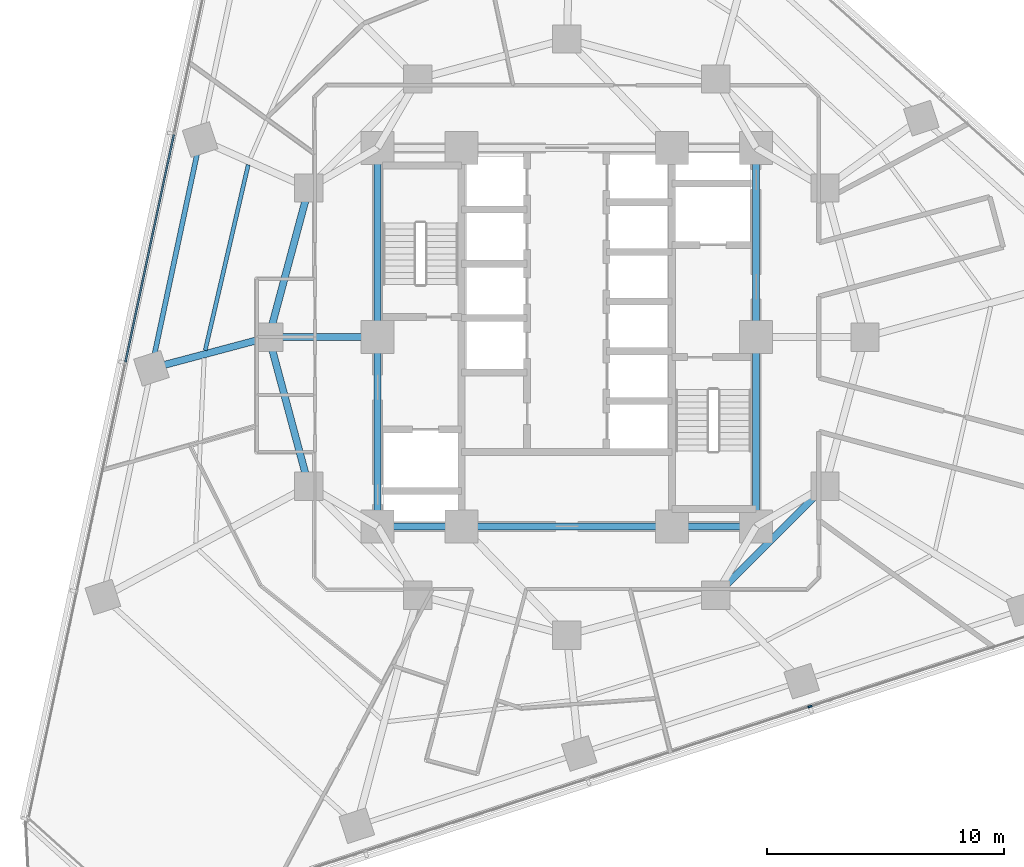
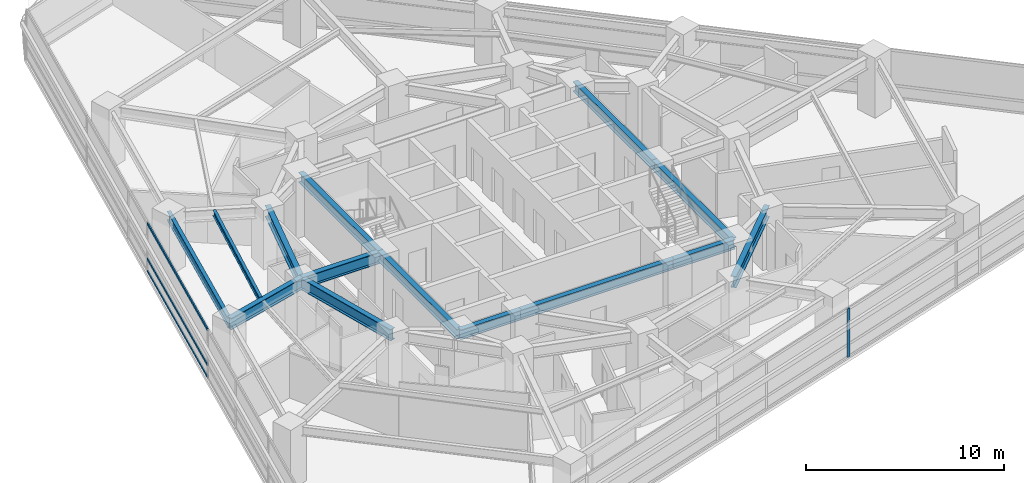
# One storey, part 3 of 13: 14 beams, 4 members, 2 elements without a shape of their own.
"""IFC4 building model written with IfcOpenShell, lengths in metres."""

import ifcopenshell
import ifcopenshell.guid

model = None  # the IFC model being written
_history = None  # IfcOwnerHistory: only IFC2X3 demands one
_inside = {}  # id of a spatial element -> (the spatial element, [elements in it])
_under = {}  # id of a project, library or spatial element -> (it, [spatial elements below it])
_declared = {}  # id of a project -> (the project, [libraries it declares])
_typed = {}  # id of a type object -> (the type object, [elements of that type])
_made_of = {}  # id of a material, layer set ... -> (it, [elements and type objects made of it])


def new_model(schema):
    """Start an empty IFC model of exactly this schema.

    Asked for "IFC4X3", IfcOpenShell would pick the latest addendum, in which some entities
    have other attributes; the version numbers below select the first issue.
    IFC2X3 requires an IfcOwnerHistory on every rooted entity: one is made here for all.
    """
    global model, _history
    if schema == "IFC4X3":
        model = ifcopenshell.file(schema_version=(4, 3, 0, 0))
    else:
        model = ifcopenshell.file(schema=schema)
    _inside.clear()
    _under.clear()
    _declared.clear()
    _typed.clear()
    _made_of.clear()
    _history = None
    if model.schema == "IFC2X3":
        org = make("IfcOrganization", Name="unknown")
        user = make(
            "IfcPersonAndOrganization",
            ThePerson=make("IfcPerson", FamilyName="unknown"),
            TheOrganization=org,
        )
        app = make(
            "IfcApplication",
            ApplicationDeveloper=org,
            Version="unknown",
            ApplicationFullName="unknown",
            ApplicationIdentifier="unknown",
        )
        _history = make(
            "IfcOwnerHistory",
            OwningUser=user,
            OwningApplication=app,
            ChangeAction="ADDED",
            CreationDate=0,
        )
    return model


def make(cls, **values):
    """One entity of the class cls with the attributes given. An attribute that is None is left unset."""
    return model.create_entity(
        cls, **{name: value for name, value in values.items() if value is not None}
    )


def rooted(cls, **values):
    """An entity with a GlobalId (a new one), such as an element, a storey or a relation."""
    return make(cls, GlobalId=ifcopenshell.guid.new(), OwnerHistory=_history, **values)


def si_unit(unit_type, name, prefix=None):
    """IfcSIUnit, for example si_unit("LENGTHUNIT", "METRE", prefix="MILLI")."""
    return make("IfcSIUnit", UnitType=unit_type, Prefix=prefix, Name=name)


def assignment(units):
    """IfcUnitAssignment: the units of a project."""
    return None if units is None else make("IfcUnitAssignment", Units=units)


def point(xyz):
    """IfcCartesianPoint."""
    return None if xyz is None else make("IfcCartesianPoint", Coordinates=xyz)


def direction(xyz):
    """IfcDirection."""
    return None if xyz is None else make("IfcDirection", DirectionRatios=xyz)


def frame(location, z_axis=None, x_axis=None):
    """IfcAxis2Placement3D, a coordinate frame: its origin and axes. An axis left out is left unset."""
    return make(
        "IfcAxis2Placement3D",
        Location=point(location),
        Axis=direction(z_axis),
        RefDirection=direction(x_axis),
    )


def frame_2d(location, x_axis=None):
    """IfcAxis2Placement2D, a coordinate frame in the plane: its origin and x axis."""
    return make(
        "IfcAxis2Placement2D", Location=point(location), RefDirection=direction(x_axis)
    )


def origin():
    """The frame at (0, 0, 0) with its axes left unset."""
    return frame((0.0, 0.0, 0.0))


def origin_2d():
    """The frame at (0, 0) in the plane with its x axis left unset."""
    return frame_2d((0.0, 0.0))


def place(relative_to, where):
    """IfcLocalPlacement: puts the frame where relative to a parent placement (None: the world)."""
    return make(
        "IfcLocalPlacement", PlacementRelTo=relative_to, RelativePlacement=where
    )


def context(
    kind, dimensions, precision=None, world=None, true_north=None, identifier=None
):
    """IfcGeometricRepresentationContext, for example the 3D "Model" context."""
    return make(
        "IfcGeometricRepresentationContext",
        ContextIdentifier=identifier,
        ContextType=kind,
        CoordinateSpaceDimension=dimensions,
        Precision=precision,
        WorldCoordinateSystem=world,
        TrueNorth=true_north,
    )


def subcontext(parent, identifier, kind, view, scale=None):
    """IfcGeometricRepresentationSubContext, for example "Body" below "Model"."""
    return make(
        "IfcGeometricRepresentationSubContext",
        ContextIdentifier=identifier,
        ContextType=kind,
        ParentContext=parent,
        TargetScale=scale,
        TargetView=view,
    )


def project(units=None, contexts=None):
    """IfcProject with its units and contexts."""
    return rooted(
        "IfcProject",
        Name="project",
        RepresentationContexts=contexts,
        UnitsInContext=assignment(units),
    )


def spatial(cls, under=None, at=None, **own):
    """A site, building, storey or space (cls), placed at a placement, below another one or the project."""
    s = rooted(cls, ObjectPlacement=at, **own)
    if under is not None:
        _under.setdefault(under.id(), (under, []))[1].append(s)
    return s


def profile(cls, at=None, kind="AREA", **sizes):
    """A parametric profile (cls). Its sizes go by their IFC names, for example OverallWidth=200.0."""
    return make(cls, ProfileType=kind, Position=at, **sizes)


def rectangle(**sizes):
    """IfcRectangleProfileDef."""
    return profile("IfcRectangleProfileDef", **sizes)


def i_section(**sizes):
    """IfcIShapeProfileDef."""
    return profile("IfcIShapeProfileDef", **sizes)


def extrude(swept, where, along, depth):
    """IfcExtrudedAreaSolid: the profile swept, set in the frame where, extruded along a direction by depth."""
    return make(
        "IfcExtrudedAreaSolid",
        SweptArea=swept,
        Position=where,
        ExtrudedDirection=direction(along),
        Depth=depth,
    )


def shape(context_of_items, identifier, shape_type, items):
    """IfcShapeRepresentation: the items that make up one representation, for example the "Body"."""
    return make(
        "IfcShapeRepresentation",
        ContextOfItems=context_of_items,
        RepresentationIdentifier=identifier,
        RepresentationType=shape_type,
        Items=items,
    )


def material(Name=None, Category=None):
    """IfcMaterial."""
    return make("IfcMaterial", Name=Name, Category=Category)


def layer(
    of_material, thickness, ventilated=None, Name=None, Category=None, Priority=None
):
    """IfcMaterialLayer: one layer of a wall or slab, of a material (None: an air gap)."""
    return make(
        "IfcMaterialLayer",
        Material=of_material,
        LayerThickness=thickness,
        IsVentilated=ventilated,
        Name=Name,
        Category=Category,
        Priority=Priority,
    )


def layer_set(layers, Name=None):
    """IfcMaterialLayerSet."""
    return make("IfcMaterialLayerSet", MaterialLayers=layers, LayerSetName=Name)


def material_profile(
    of_material, cross_section, Name=None, Category=None, Priority=None
):
    """IfcMaterialProfile: a cross section and its material."""
    return make(
        "IfcMaterialProfile",
        Name=Name,
        Material=of_material,
        Profile=cross_section,
        Priority=Priority,
        Category=Category,
    )


def profile_set(profiles, Name=None, composite=None):
    """IfcMaterialProfileSet."""
    return make(
        "IfcMaterialProfileSet",
        Name=Name,
        MaterialProfiles=profiles,
        CompositeProfile=composite,
    )


def made_of(thing, what):
    """Note that an element or type object is made of a material, layer set ...; save() writes the relation."""
    if what is not None:
        _made_of.setdefault(what.id(), (what, []))[1].append(thing)
    return thing


def type_object(cls, material=None, **own):
    """A type object (cls), such as IfcWallType, which elements share."""
    return made_of(rooted(cls, **own), material)


def element(
    cls,
    number,
    at=None,
    inside=None,
    cuts=None,
    type_object=None,
    material=None,
    context=None,
    identifier="Body",
    shape_type=None,
    held_by="IfcProductDefinitionShape",
    body=None,
    shapes=None,
    **own,
):
    """One element of the class cls, such as IfcWall. Its Tag is "e" and its number.

    at: its placement. inside: the storey or other place that contains it. cuts: it is an
    opening in that element (IfcRelVoidsElement). A single representation is given by context,
    identifier, shape_type and body (its items); several are given by shapes. held_by: the class
    of the entity that holds the representations. save() writes the other relations.
    """
    e = rooted(cls, Tag="e%d" % number, ObjectPlacement=at, **own)
    if body is not None:
        shapes = [shape(context, identifier, shape_type, body)]
    if shapes is not None:
        e.Representation = make(held_by, Representations=shapes)
    if inside is not None:
        _inside.setdefault(inside.id(), (inside, []))[1].append(e)
    if cuts is not None:
        rooted(
            "IfcRelVoidsElement", RelatingBuildingElement=cuts, RelatedOpeningElement=e
        )
    if type_object is not None:
        _typed.setdefault(type_object.id(), (type_object, []))[1].append(e)
    return made_of(e, material)


def aggregate(whole, parts):
    """IfcRelAggregates: a whole, such as a stair, and the parts it consists of."""
    return rooted("IfcRelAggregates", RelatingObject=whole, RelatedObjects=parts)


def save(model, path):
    """Write the relations noted so far, then the file.

    IfcRelAggregates (storeys below a building ...), IfcRelContainedInSpatialStructure (elements
    in a storey), IfcRelDefinesByType, IfcRelAssociatesMaterial and IfcRelDeclares: one each for
    every whole, place, type object, material and project.
    """
    for whole, parts in _under.values():
        aggregate(whole, parts)
    for where, things in _inside.values():
        rooted(
            "IfcRelContainedInSpatialStructure",
            RelatedElements=things,
            RelatingStructure=where,
        )
    for kind, things in _typed.values():
        rooted("IfcRelDefinesByType", RelatedObjects=things, RelatingType=kind)
    for what, things in _made_of.values():
        rooted("IfcRelAssociatesMaterial", RelatedObjects=things, RelatingMaterial=what)
    for by, libraries in _declared.values():
        rooted("IfcRelDeclares", RelatingContext=by, RelatedDefinitions=libraries)
    model.write(path)


model = new_model("IFC4")

# Units and contexts
model_context = context("Model", 3, precision=1e-05, world=origin(), true_north=direction((0.0, 1.0)))
body_context = subcontext(model_context, "Body", "Model", "MODEL_VIEW")
ifc_project = project(units=[si_unit("LENGTHUNIT", "METRE"), si_unit("AREAUNIT", "SQUARE_METRE"), si_unit("VOLUMEUNIT", "CUBIC_METRE"), si_unit("PLANEANGLEUNIT", "RADIAN"), si_unit("MASSUNIT", "GRAM", prefix="KILO")], contexts=[model_context])

# Site, building, storey
site_placement = place(None, origin())
site = spatial("IfcSite", under=ifc_project, at=site_placement, CompositionType="ELEMENT")
building_placement = place(site_placement, origin())
building = spatial("IfcBuilding", under=site, at=building_placement, Name="Terralouvre Media Tower", CompositionType="ELEMENT")
storey_placement = place(building_placement, frame((0.0, 0.0, 94.0)))
storey = spatial("IfcBuildingStorey", under=building, at=storey_placement, Name="L23", CompositionType="ELEMENT", Elevation=94.0)

# Beam
ifc_material_1 = material(Name="Structural steel S355J2", Category="steel")
ifc_material_profile_1 = material_profile(ifc_material_1, i_section(OverallWidth=0.169921875, OverallDepth=0.360107421875, WebThickness=0.008056640625, FlangeThickness=0.0126953125, at=origin_2d()), Name="IPE 360")
ifc_profile_set_1 = profile_set([ifc_material_profile_1], Name="Structural steel S355J2")
beam_type_1 = type_object("IfcBeamType", Name="Composite Floor Joist J-IPE360 (IPE 360)", PredefinedType="JOIST", material=ifc_profile_set_1)
beam_1_placement = place(storey_placement, frame((-13.47216796875, 7.28076171875, 3.320068359375), z_axis=(-0.225820426646, -0.974168945774, 0.0), x_axis=(0.974168945774, -0.225820426646, 0.0)))
element("IfcBeam", 1, at=beam_1_placement, inside=storey, type_object=beam_type_1, Name="L23 Framing Beam JT-L23-12", PredefinedType="JOIST", context=body_context, shape_type="SweptSolid", body=[
    extrude(i_section(OverallWidth=0.169921875, OverallDepth=0.360107421875, WebThickness=0.008056640625, FlangeThickness=0.0126953125, at=origin_2d()), origin(), (0.0, 0.0, 1.0), 8.05224609375),
])

# Curtain wall, members
ifc_material_2 = material(Name="Low-iron laminated double glazing with solar-control coating", Category="glass")
ifc_layer = layer(ifc_material_2, 0.1650390625, Name="Lower Media Tower Unitised Curtain Wall CW-02")
ifc_layer_set = layer_set([ifc_layer], Name="Low-iron laminated double glazing with solar-control coating")
curtain_wall_type = type_object("IfcCurtainWallType", Name="Lower Media Tower Unitised Curtain Wall CW-02", PredefinedType="NOTDEFINED", material=ifc_layer_set)
curtain_wall_1_placement = place(storey_placement, origin())
curtain_wall_1 = element("IfcCurtainWall", 2, at=curtain_wall_1_placement, inside=storey, type_object=curtain_wall_type, Name="L23 Facade Curtain Wall F2", PredefinedType="NOTDEFINED")
ifc_material_3 = material(Name="Anodised extruded aluminium 6063-T6", Category="aluminium")
ifc_material_profile_2 = material_profile(ifc_material_3, rectangle(XDim=0.074951171875, YDim=0.14990234375, at=origin_2d()), Name="ALU 75x150")
ifc_profile_set_2 = profile_set([ifc_material_profile_2], Name="Anodised extruded aluminium 6063-T6")
member_type_1 = type_object("IfcMemberType", Name="Curtain-Wall Horizontal Transom TR-150", PredefinedType="USERDEFINED", material=ifc_profile_set_2)
member_1_placement = place(storey_placement, frame((-16.617919921875, 8.54833984375, 0.03759765625), z_axis=(-0.207914695346, -0.978146962097, 0.0), x_axis=(0.978146962097, -0.207914695346, 0.0)))
member_1 = element("IfcMember", 3, at=member_1_placement, type_object=member_type_1, Name="CW-02 transom 3.1", ObjectType="TRANSOM", PredefinedType="USERDEFINED", context=body_context, shape_type="SweptSolid", body=[
    extrude(rectangle(XDim=0.074951171875, YDim=0.14990234375, at=origin_2d()), origin(), (0.0, 0.0, 1.0), 9.81298828125),
])
member_2_placement = place(storey_placement, frame((-16.617919921875, 8.54833984375, 0.800048828125), z_axis=(-0.207914695346, -0.978146962097, 0.0), x_axis=(0.978146962097, -0.207914695346, 0.0)))
member_2 = element("IfcMember", 4, at=member_2_placement, type_object=member_type_1, Name="CW-02 transom 3.2", ObjectType="TRANSOM", PredefinedType="USERDEFINED", context=body_context, shape_type="SweptSolid", body=[
    extrude(rectangle(XDim=0.074951171875, YDim=0.14990234375, at=origin_2d()), origin(), (0.0, 0.0, 1.0), 9.81298828125),
])
member_3_placement = place(storey_placement, frame((-16.617919921875, 8.54833984375, 2.96240234375), z_axis=(-0.207914695346, -0.978146962097, 0.0), x_axis=(0.978146962097, -0.207914695346, 0.0)))
member_3 = element("IfcMember", 5, at=member_3_placement, type_object=member_type_1, Name="CW-02 transom 3.3", ObjectType="TRANSOM", PredefinedType="USERDEFINED", context=body_context, shape_type="SweptSolid", body=[
    extrude(rectangle(XDim=0.074951171875, YDim=0.14990234375, at=origin_2d()), origin(), (0.0, 0.0, 1.0), 9.81298828125),
])
aggregate(curtain_wall_1, [member_1, member_2, member_3])

# Curtain wall, member
curtain_wall_2_placement = place(storey_placement, origin())
curtain_wall_2 = element("IfcCurtainWall", 6, at=curtain_wall_2_placement, inside=storey, type_object=curtain_wall_type, Name="L23 Facade Curtain Wall F0", PredefinedType="NOTDEFINED")
ifc_material_4 = material(Name="Anodised extruded aluminium 6063-T6", Category="aluminium")
ifc_material_profile_3 = material_profile(ifc_material_4, rectangle(XDim=0.074951171875, YDim=0.179931640625, at=origin_2d()), Name="ALU 75x180")
ifc_profile_set_3 = profile_set([ifc_material_profile_3], Name="Anodised extruded aluminium 6063-T6")
member_type_2 = type_object("IfcMemberType", Name="Curtain-Wall Vertical Mullion ML-180", PredefinedType="MULLION", material=ifc_profile_set_3)
member_4_placement = place(storey_placement, frame((10.274169921875, -15.621826171875, 0.0), z_axis=(0.0, 0.0, 1.0), x_axis=(-0.309017015439, 0.951056509451, 0.0)))
member_4 = element("IfcMember", 7, at=member_4_placement, type_object=member_type_2, Name="CW-02 mullion 4", PredefinedType="MULLION", context=body_context, shape_type="SweptSolid", body=[
    extrude(rectangle(XDim=0.074951171875, YDim=0.179931640625, at=origin_2d()), origin(), (0.0, 0.0, 1.0), 3.0),
])
aggregate(curtain_wall_2, [member_4])

# Beams
ifc_material_5 = material(Name="Structural steel S355J2", Category="steel")
ifc_material_profile_4 = material_profile(ifc_material_5, i_section(OverallWidth=0.2099609375, OverallDepth=0.550048828125, WebThickness=0.010986328125, FlangeThickness=0.01708984375, at=origin_2d()), Name="IPE 550")
ifc_profile_set_4 = profile_set([ifc_material_profile_4], Name="Structural steel S355J2")
beam_type_2 = type_object("IfcBeamType", Name="Perimeter Spandrel Beam SPB-550 (IPE 550)", PredefinedType="SPANDREL", material=ifc_profile_set_4)
beam_2_placement = place(storey_placement, frame((-15.5048828125, 8.35009765625, 3.215087890625), z_axis=(-0.207920177572, -0.97814579678, 0.0), x_axis=(0.97814579678, -0.207920177572, 0.0)))
element("IfcBeam", 8, at=beam_2_placement, inside=storey, type_object=beam_type_2, Name="L23 Framing Beam BM-L23-PR12", PredefinedType="SPANDREL", context=body_context, shape_type="SweptSolid", body=[
    extrude(i_section(OverallWidth=0.2099609375, OverallDepth=0.550048828125, WebThickness=0.010986328125, FlangeThickness=0.01708984375, at=origin_2d()), origin(), (0.0, 0.0, 1.0), 9.887939453125),
])
ifc_material_6 = material(Name="Structural steel S460M", Category="steel")
ifc_material_profile_5 = material_profile(ifc_material_6, i_section(OverallWidth=0.300048828125, OverallDepth=0.60009765625, WebThickness=0.015380859375, FlangeThickness=0.030029296875, at=origin_2d()), Name="HEB 600")
ifc_profile_set_5 = profile_set([ifc_material_profile_5], Name="Structural steel S460M")
beam_type_3 = type_object("IfcBeamType", Name="Primary Floor Girder B-HEB600 (HEB 600)", PredefinedType="BEAM", material=ifc_profile_set_5)
beam_3_placement = place(storey_placement, frame((-8.0, -8.0, 3.199951171875), z_axis=(1.0, 0.0, 0.0), x_axis=(0.0, 1.0, 0.0)))
element("IfcBeam", 9, at=beam_3_placement, inside=storey, type_object=beam_type_3, Name="L23 Framing Beam BM-L23-CPR01", PredefinedType="BEAM", context=body_context, shape_type="SweptSolid", body=[
    extrude(i_section(OverallWidth=0.300048828125, OverallDepth=0.60009765625, WebThickness=0.015380859375, FlangeThickness=0.030029296875, at=origin_2d()), origin(), (0.0, 0.0, 1.0), 3.550048828125),
])
beam_4_placement = place(storey_placement, frame((-4.449951171875, -8.0, 3.199951171875), z_axis=(1.0, 0.0, 0.0), x_axis=(0.0, 1.0, 0.0)))
element("IfcBeam", 10, at=beam_4_placement, inside=storey, type_object=beam_type_3, Name="L23 Framing Beam BM-L23-CPR02", PredefinedType="BEAM", context=body_context, shape_type="SweptSolid", body=[
    extrude(i_section(OverallWidth=0.300048828125, OverallDepth=0.60009765625, WebThickness=0.015380859375, FlangeThickness=0.030029296875, at=origin_2d()), origin(), (0.0, 0.0, 1.0), 8.89990234375),
])
beam_5_placement = place(storey_placement, frame((4.449951171875, -8.0, 3.199951171875), z_axis=(1.0, 0.0, 0.0), x_axis=(0.0, 1.0, 0.0)))
element("IfcBeam", 11, at=beam_5_placement, inside=storey, type_object=beam_type_3, Name="L23 Framing Beam BM-L23-CPR03", PredefinedType="BEAM", context=body_context, shape_type="SweptSolid", body=[
    extrude(i_section(OverallWidth=0.300048828125, OverallDepth=0.60009765625, WebThickness=0.015380859375, FlangeThickness=0.030029296875, at=origin_2d()), origin(), (0.0, 0.0, 1.0), 3.550048828125),
])
for number, where, z_axis, x_axis, name in (
    (12, (8.0, -8.0, 3.199951171875), (0.0, 1.0, 0.0), (-1.0, 0.0, 0.0), "L23 Framing Beam BM-L23-CPR04"),
    (13, (8.0, 0.0, 3.199951171875), (0.0, 1.0, 0.0), (-1.0, 0.0, 0.0), "L23 Framing Beam BM-L23-CPR05"),
    (14, (-8.0, 8.0, 3.199951171875), (0.0, -1.0, 0.0), (1.0, 0.0, 0.0), "L23 Framing Beam BM-L23-CPR09"),
    (15, (-8.0, 0.0, 3.199951171875), (0.0, -1.0, 0.0), (1.0, 0.0, 0.0), "L23 Framing Beam BM-L23-CPR10"),
):
    element("IfcBeam", number, at=place(storey_placement, frame(where, z_axis=z_axis, x_axis=x_axis)), inside=storey, type_object=beam_type_3, Name=name, PredefinedType="BEAM", context=body_context, shape_type="SweptSolid", body=[
        extrude(i_section(OverallWidth=0.300048828125, OverallDepth=0.60009765625, WebThickness=0.015380859375, FlangeThickness=0.030029296875, at=origin_2d()), origin(), (0.0, 0.0, 1.0), 8.0),
    ])
ifc_material_7 = material(Name="Structural steel S460M", Category="steel")
ifc_material_profile_6 = material_profile(ifc_material_7, i_section(OverallWidth=0.300048828125, OverallDepth=0.699951171875, WebThickness=0.01708984375, FlangeThickness=0.031982421875, at=origin_2d()), Name="HEB 700")
ifc_profile_set_6 = profile_set([ifc_material_profile_6], Name="Structural steel S460M")
beam_type_4 = type_object("IfcBeamType", Name="Primary Floor Girder B-HEB700 (HEB 700)", PredefinedType="BEAM", material=ifc_profile_set_6)
beam_6_placement = place(storey_placement, frame((6.300048828125, -10.911865234375, 3.14990234375), z_axis=(0.707106781187, 0.707106781187, 0.0), x_axis=(-0.707106781187, 0.707106781187, 0.0)))
element("IfcBeam", 16, at=beam_6_placement, inside=storey, type_object=beam_type_4, Name="L23 Framing Beam BM-L23-MR04", PredefinedType="BEAM", context=body_context, shape_type="SweptSolid", body=[
    extrude(i_section(OverallWidth=0.300048828125, OverallDepth=0.699951171875, WebThickness=0.01708984375, FlangeThickness=0.031982421875, at=origin_2d()), origin(), (0.0, 0.0, 1.0), 6.52197265625),
])
for number, where, z_axis, x_axis, name in (
    (17, (-10.911865234375, 6.300048828125, 3.14990234375), (-0.258838989821, -0.965920481897, 0.0), (0.965920481897, -0.258838989821, 0.0), "L23 Framing Beam BM-L23-MR11"),
    (18, (-12.60009765625, 0.0, 3.14990234375), (0.258838989821, -0.965920481897, 0.0), (0.965920481897, 0.258838989821, 0.0), "L23 Framing Beam BM-L23-MR12"),
):
    element("IfcBeam", number, at=place(storey_placement, frame(where, z_axis=z_axis, x_axis=x_axis)), inside=storey, type_object=beam_type_4, Name=name, PredefinedType="BEAM", context=body_context, shape_type="SweptSolid", body=[
        extrude(i_section(OverallWidth=0.300048828125, OverallDepth=0.699951171875, WebThickness=0.01708984375, FlangeThickness=0.031982421875, at=origin_2d()), origin(), (0.0, 0.0, 1.0), 6.522216796875),
    ])
beam_7_placement = place(storey_placement, frame((-8.0, 0.0, 3.14990234375), z_axis=(-1.0, 0.0, 0.0), x_axis=(0.0, -1.0, 0.0)))
element("IfcBeam", 19, at=beam_7_placement, inside=storey, type_object=beam_type_4, Name="L23 Framing Beam BM-L23-CM12", PredefinedType="BEAM", context=body_context, shape_type="SweptSolid", body=[
    extrude(i_section(OverallWidth=0.300048828125, OverallDepth=0.699951171875, WebThickness=0.01708984375, FlangeThickness=0.031982421875, at=origin_2d()), origin(), (0.0, 0.0, 1.0), 4.60009765625),
])
beam_8_placement = place(storey_placement, frame((-12.60009765625, 0.0, 3.14990234375), z_axis=(-0.966287014212, -0.257467291449, 0.0), x_axis=(0.257467291449, -0.966287014212, 0.0)))
element("IfcBeam", 20, at=beam_8_placement, inside=storey, type_object=beam_type_4, Name="L23 Framing Beam BM-L23-RD01", PredefinedType="BEAM", context=body_context, shape_type="SweptSolid", body=[
    extrude(i_section(OverallWidth=0.300048828125, OverallDepth=0.699951171875, WebThickness=0.01708984375, FlangeThickness=0.031982421875, at=origin_2d()), origin(), (0.0, 0.0, 1.0), 5.1337890625),
])

save(model, "model.ifc")
